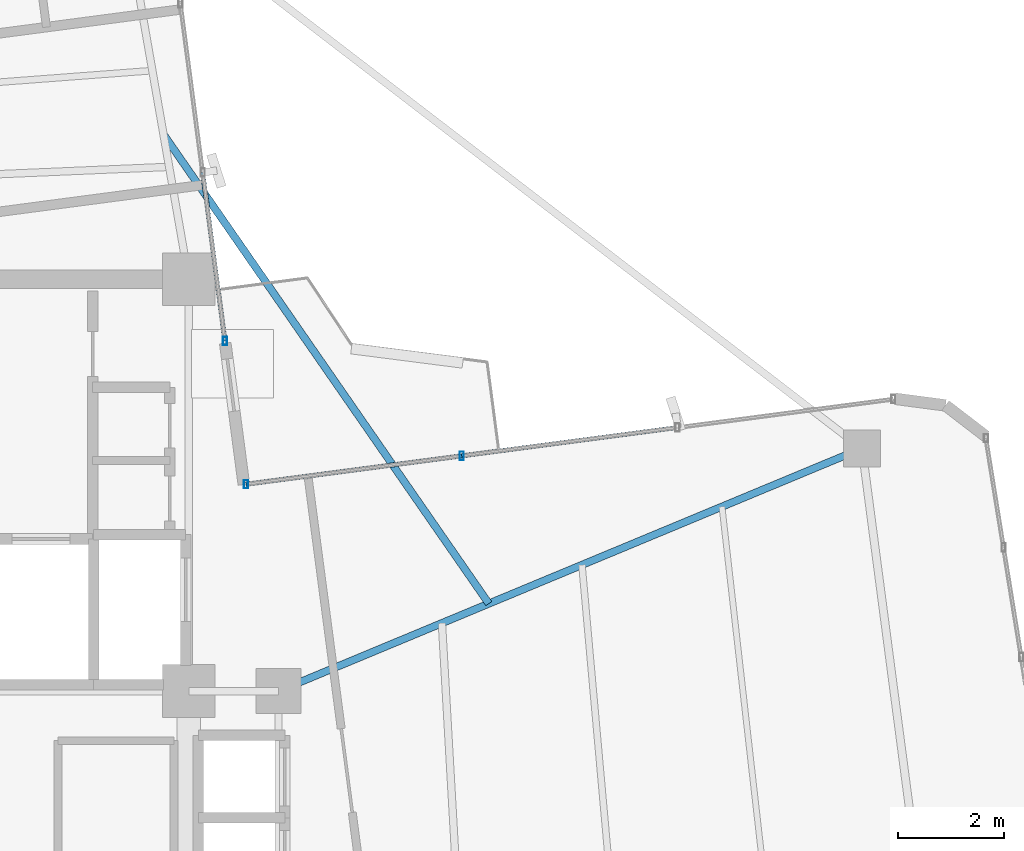
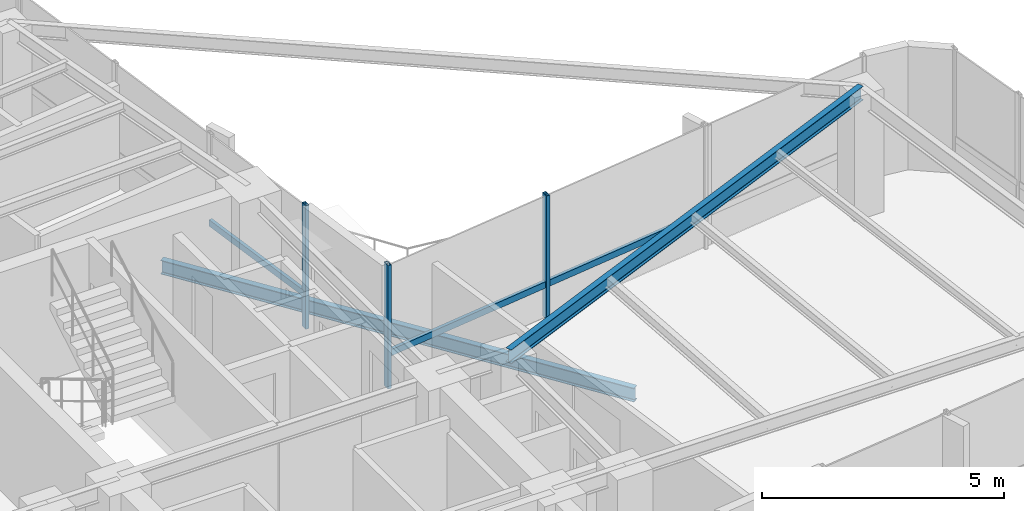
# One storey, part 11 of 22: 6 members, 2 beams, 2 elements without a shape of their own.
"""IFC4 building model written with IfcOpenShell, lengths in metres."""

from ifc_helpers import new_model, si_unit, direction, frame, origin, origin_2d, place, context, subcontext, project, spatial, hollow_rectangle, i_section, extrude, source, transform, mapped, material, material_profile, profile_set, type_object, element, aggregate, save


model = new_model("IFC4")

# Units and contexts
model_context = context("Model", 3, precision=1e-05, world=origin(), true_north=direction((0.0, 1.0)))
body_context = subcontext(model_context, "Body", "Model", "MODEL_VIEW")
ifc_project = project(units=[si_unit("LENGTHUNIT", "METRE"), si_unit("AREAUNIT", "SQUARE_METRE"), si_unit("VOLUMEUNIT", "CUBIC_METRE"), si_unit("PLANEANGLEUNIT", "RADIAN"), si_unit("MASSUNIT", "GRAM", prefix="KILO")], contexts=[model_context])

# Site, building, storey
site_placement = place(None, origin())
site = spatial("IfcSite", under=ifc_project, at=site_placement, CompositionType="ELEMENT")
building_placement = place(site_placement, origin())
building = spatial("IfcBuilding", under=site, at=building_placement, Name="Sahyath Konkavel Grand Hotel", CompositionType="ELEMENT")
storey_placement = place(building_placement, frame((0.0, 0.0, 237.800048828125)))
storey = spatial("IfcBuildingStorey", under=building, at=storey_placement, Name="L66", CompositionType="ELEMENT", Elevation=237.800048828125)

# Beam
ifc_material_1 = material(Name="Steel E350", Category="steel")
ifc_material_profile_1 = material_profile(ifc_material_1, i_section(OverallWidth=0.139892578125, OverallDepth=0.35009765625, WebThickness=0.008056640625, FlangeThickness=0.01416015625, FilletRadius=0.013916015625, at=origin_2d()), Name="ISMB 350")
ifc_profile_set_1 = profile_set([ifc_material_profile_1], Name="Steel E350")
beam_type_1 = type_object("IfcBeamType", Name="BM-ISMB350", PredefinedType="BEAM", material=ifc_profile_set_1)
shared_shape_1 = source(origin(), body_context, "Body", "SweptSolid", [
    extrude(i_section(OverallWidth=0.139892578125, OverallDepth=0.35009765625, WebThickness=0.008056640625, FlangeThickness=0.01416015625, FilletRadius=0.013916015625, at=origin_2d()), origin(), (0.0, 0.0, 1.0), 11.966064453125),
])
beam_1_placement = place(storey_placement, frame((5.5, 2.39990234375, 2.93505859375), z_axis=(0.923332057402, 0.38400248928, 0.0), x_axis=(-0.38400248928, 0.923332057402, 0.0)))
element("IfcBeam", 1, at=beam_1_placement, inside=storey, type_object=beam_type_1, Name="L66 Cruciform Radial Girder EB", PredefinedType="BEAM", context=body_context, shape_type="MappedRepresentation", body=[
    mapped(shared_shape_1, transform((0.0, 0.0, 0.0), scale=1.0)),
])

# Curtain wall, members
ifc_material_2 = material(Name="Anodised Bronze Aluminium & Low-E Glazing", Category="aluminium")
curtain_wall_type = type_object("IfcCurtainWallType", Name="CW-ZONE4", PredefinedType="NOTDEFINED", material=ifc_material_2)
curtain_wall_1_placement = place(storey_placement, origin())
curtain_wall_1 = element("IfcCurtainWall", 2, at=curtain_wall_1_placement, inside=storey, type_object=curtain_wall_type, Name="L66 Unitised Curtain Wall F7", PredefinedType="NOTDEFINED")
ifc_material_3 = material(Name="Anodised Bronze Aluminium", Category="aluminium")
ifc_material_profile_2 = material_profile(ifc_material_3, hollow_rectangle(XDim=0.080078125, YDim=0.159912109375, WallThickness=0.006103515625, at=origin_2d()), Name="RHS 160x80x6")
ifc_profile_set_2 = profile_set([ifc_material_profile_2], Name="Anodised Bronze Aluminium")
member_type_1 = type_object("IfcMemberType", Name="CW-MUL-160", PredefinedType="MULLION", material=ifc_profile_set_2)
shared_shape_2 = source(origin(), body_context, "Body", "SweptSolid", [
    extrude(hollow_rectangle(XDim=0.080078125, YDim=0.159912109375, WallThickness=0.006103515625, at=origin_2d()), origin(), (0.0, 0.0, 1.0), 3.10986328125),
])
member_1_placement = place(storey_placement, frame((8.96875, 6.854248046875, 0.0), z_axis=(0.0, 0.0, 1.0), x_axis=(1.0, 0.0, 0.0)))
member_1 = element("IfcMember", 3, at=member_1_placement, type_object=member_type_1, Name="L66 Curtain Wall Mullion F7-2", PredefinedType="MULLION", context=body_context, shape_type="MappedRepresentation", body=[
    mapped(shared_shape_2, transform((0.0, 0.0, 0.0), scale=1.0)),
])
member_2_placement = place(storey_placement, frame((4.88232421875, 6.31640625, 0.0), z_axis=(0.0, 0.0, 1.0), x_axis=(1.0, 0.0, 0.0)))
member_2 = element("IfcMember", 4, at=member_2_placement, type_object=member_type_1, Name="L66 Curtain Wall Mullion F7-3", PredefinedType="MULLION", context=body_context, shape_type="MappedRepresentation", body=[
    mapped(shared_shape_2, transform((0.0, 0.0, 0.0), scale=1.0)),
])

curtain_wall_2_placement = place(storey_placement, origin())
curtain_wall_2 = element("IfcCurtainWall", 5, at=curtain_wall_2_placement, inside=storey, type_object=curtain_wall_type, Name="L66 Unitised Curtain Wall F8", PredefinedType="NOTDEFINED")
member_3_placement = place(storey_placement, frame((4.485107421875, 9.027587890625, 0.0), z_axis=(0.0, 0.0, 1.0), x_axis=(1.0, 0.0, 0.0)))
member_3 = element("IfcMember", 6, at=member_3_placement, type_object=member_type_1, Name="L66 Curtain Wall Mullion F8-0", PredefinedType="MULLION", context=body_context, shape_type="MappedRepresentation", body=[
    mapped(shared_shape_2, transform((0.0, 0.0, 0.0), scale=1.0)),
])
ifc_material_profile_3 = material_profile(ifc_material_3, hollow_rectangle(XDim=0.080078125, YDim=0.159912109375, WallThickness=0.006103515625, at=origin_2d()), Name="RHS 160x80x6")
ifc_profile_set_3 = profile_set([ifc_material_profile_3], Name="Anodised Bronze Aluminium")
member_type_2 = type_object("IfcMemberType", Name="CW-TRN-160", PredefinedType="USERDEFINED", material=ifc_profile_set_3)
shared_shape_3 = source(origin(), body_context, "Body", "SweptSolid", [
    extrude(hollow_rectangle(XDim=0.080078125, YDim=0.159912109375, WallThickness=0.006103515625, at=origin_2d()), origin(), (0.0, 0.0, 1.0), 3.2216796875),
])
member_4_placement = place(storey_placement, frame((4.485107421875, 9.027587890625, 0.849853515625), z_axis=(-0.130495678972, 0.991448878041, 0.0), x_axis=(-0.991448878041, -0.130495678972, 0.0)))
member_4 = element("IfcMember", 7, at=member_4_placement, type_object=member_type_2, Name="L66 Curtain Wall Transom F8-0-spandrel", ObjectType="TRANSOM", PredefinedType="USERDEFINED", context=body_context, shape_type="MappedRepresentation", body=[
    mapped(shared_shape_3, transform((0.0, 0.0, 0.0), scale=1.0)),
])
aggregate(curtain_wall_2, [member_3, member_4])

# Member
shared_shape_4 = source(origin(), body_context, "Body", "SweptSolid", [
    extrude(hollow_rectangle(XDim=0.080078125, YDim=0.159912109375, WallThickness=0.006103515625, at=origin_2d()), origin(), (0.0, 0.0, 1.0), 4.12158203125),
])
member_5_placement = place(storey_placement, frame((13.05517578125, 7.392333984375, 0.849853515625), z_axis=(-0.991441791177, -0.13054951056, 0.0), x_axis=(0.13054951056, -0.991441791177, 0.0)))
member_5 = element("IfcMember", 8, at=member_5_placement, type_object=member_type_2, Name="L66 Curtain Wall Transom F7-1-spandrel", ObjectType="TRANSOM", PredefinedType="USERDEFINED", context=body_context, shape_type="MappedRepresentation", body=[
    mapped(shared_shape_4, transform((0.0, 0.0, 0.0), scale=1.0)),
])

member_6_placement = place(storey_placement, frame((8.96875, 6.854248046875, 0.849853515625), z_axis=(-0.991449456185, -0.130491286413, 0.0), x_axis=(0.130491286413, -0.991449456185, 0.0)))
member_6 = element("IfcMember", 9, at=member_6_placement, type_object=member_type_2, Name="L66 Curtain Wall Transom F7-2-spandrel", ObjectType="TRANSOM", PredefinedType="USERDEFINED", context=body_context, shape_type="MappedRepresentation", body=[
    mapped(shared_shape_4, transform((0.0, 0.0, 0.0), scale=1.0)),
])

aggregate(curtain_wall_1, [member_1, member_2, member_5, member_6])

# Beam
ifc_material_profile_4 = material_profile(ifc_material_1, i_section(OverallWidth=0.139892578125, OverallDepth=0.35009765625, WebThickness=0.008056640625, FlangeThickness=0.01416015625, FilletRadius=0.013916015625, at=origin_2d()), Name="ISMB 350")
ifc_profile_set_4 = profile_set([ifc_material_profile_4], Name="Steel E350")
beam_type_2 = type_object("IfcBeamType", Name="BM-BALC-CANT", PredefinedType="BEAM", material=ifc_profile_set_4)
shared_shape_5 = source(origin(), body_context, "Body", "SweptSolid", [
    extrude(i_section(OverallWidth=0.139892578125, OverallDepth=0.35009765625, WebThickness=0.008056640625, FlangeThickness=0.01416015625, FilletRadius=0.013916015625, at=origin_2d()), origin(), (0.0, 0.0, 1.0), 10.80908203125),
])
beam_2_placement = place(storey_placement, frame((9.48193359375, 4.05615234375, -0.4150390625), z_axis=(-0.569765384828, 0.821807402164, 0.0), x_axis=(-0.821807402164, -0.569765384828, 0.0)))
element("IfcBeam", 10, at=beam_2_placement, inside=storey, type_object=beam_type_2, Name="L66 Balcony Cantilever Support Beam NE", PredefinedType="BEAM", context=body_context, shape_type="MappedRepresentation", body=[
    mapped(shared_shape_5, transform((0.0, 0.0, 0.0), scale=1.0)),
])

save(model, "model.ifc")
